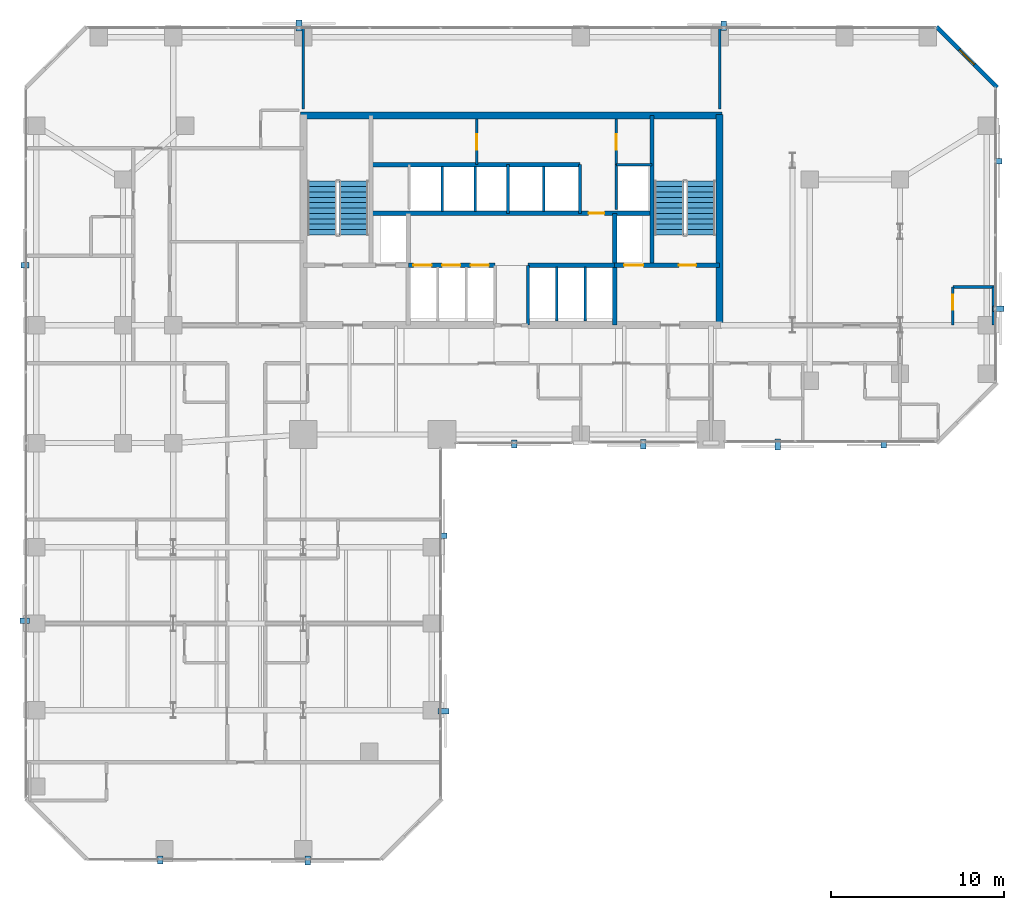
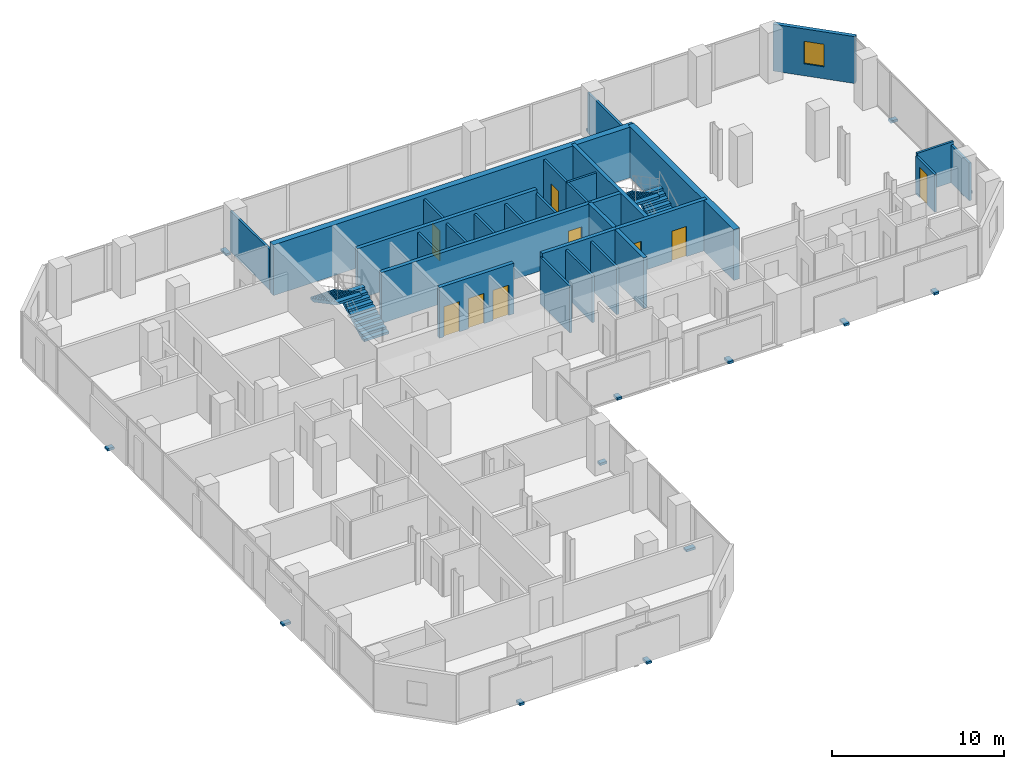
# One storey, part 29 of 31: 27 walls, 14 discrete accessories, 9 doors, 4 stair flights, 1 window, 10 openings, 2 elements without a shape of their own.
"""IFC4 building model written with IfcOpenShell, lengths in metres."""

from ifc_helpers import new_model, si_unit, direction, frame, frame_2d, origin, origin_2d, place, context, subcontext, project, spatial, polyline, rectangle, outline, extrude, material, layer, layer_set, type_object, element, fill, aggregate, save


model = new_model("IFC4")

# Units and contexts
model_context = context("Model", 3, precision=1e-05, world=origin(), true_north=direction((0.0, 1.0)))
body_context = subcontext(model_context, "Body", "Model", "MODEL_VIEW")
ifc_project = project(units=[si_unit("LENGTHUNIT", "METRE"), si_unit("AREAUNIT", "SQUARE_METRE"), si_unit("VOLUMEUNIT", "CUBIC_METRE"), si_unit("PLANEANGLEUNIT", "RADIAN"), si_unit("MASSUNIT", "GRAM", prefix="KILO")], contexts=[model_context])

# Site, building, storey
site_placement = place(None, origin())
site = spatial("IfcSite", under=ifc_project, at=site_placement, CompositionType="ELEMENT")
building_placement = place(site_placement, origin())
building = spatial("IfcBuilding", under=site, at=building_placement, Name="Catumbela Crestline Tower", CompositionType="ELEMENT")
storey_placement = place(building_placement, frame((0.0, 0.0, 25.8)))
storey = spatial("IfcBuildingStorey", under=building, at=storey_placement, Name="L05", CompositionType="ELEMENT", Elevation=25.8)

# Walls
ifc_material_1 = material(Name="Concrete C50/60", Category="concrete")
ifc_layer_1 = layer(ifc_material_1, 0.25, Name="Concrete C50/60")
ifc_layer_set_1 = layer_set([ifc_layer_1], Name="Concrete C50/60")
wall_type_1 = type_object("IfcWallType", Name="CW-250D", PredefinedType="SHEAR", material=ifc_layer_set_1)
wall_1_placement = place(storey_placement, frame((36.1, 34.25, 0.0), z_axis=(0.0, 0.0, 1.0), x_axis=(0.0, 1.0, 0.0)))
element("IfcWall", 1, at=wall_1_placement, inside=storey, type_object=wall_type_1, Name="L05 Structural Core Shear Wall EWEB", PredefinedType="SHEAR", context=body_context, shape_type="SweptSolid", body=[
    extrude(rectangle(XDim=8.65, YDim=0.25, at=frame_2d((4.325, 0.0))), origin(), (0.0, 0.0, 1.0), 3.6),
])
wall_2_placement = place(storey_placement, frame((33.95, 30.8, 0.0), z_axis=(0.0, 0.0, 1.0), x_axis=(0.0, 1.0, 0.0)))
element("IfcWall", 2, at=wall_2_placement, inside=storey, type_object=wall_type_1, Name="L05 Structural Core Shear Wall FFE", PredefinedType="SHEAR", context=body_context, shape_type="SweptSolid", body=[
    extrude(rectangle(XDim=6.45, YDim=0.25, at=frame_2d((3.225, 0.0))), origin(), (0.0, 0.0, 1.0), 3.6),
])

# Wall, openings, doors
wall_3_placement = place(storey_placement, frame((33.95, 34.25, 0.0), z_axis=(0.0, 0.0, 1.0), x_axis=(1.0, 0.0, 0.0)))
wall_3 = element("IfcWall", 3, at=wall_3_placement, inside=storey, type_object=wall_type_1, Name="L05 Structural Core Shear Wall ST2S", PredefinedType="SHEAR", context=body_context, shape_type="SweptSolid", body=[
    extrude(rectangle(XDim=6.05, YDim=0.25, at=frame_2d((3.025, 0.0))), origin(), (0.0, 0.0, 1.0), 3.6),
])
opening_1_placement = place(wall_3_placement, frame((3.7, 0.0, 0.0)))
opening_1 = element("IfcOpeningElement", 4, at=opening_1_placement, cuts=wall_3, Name="Opening DF9-100", PredefinedType="OPENING", context=body_context, shape_type="SweptSolid", body=[
    extrude(rectangle(XDim=1.0, YDim=2.15, at=frame_2d((0.5, 1.075))), frame((0.0, 0.135, 0.0), z_axis=(0.0, -1.0, 0.0), x_axis=(1.0, 0.0, 0.0)), (0.0, 0.0, 1.0), 0.27),
])
opening_2_placement = place(wall_3_placement, frame((0.55, 0.0, 0.0)))
opening_2 = element("IfcOpeningElement", 5, at=opening_2_placement, cuts=wall_3, Name="Opening LD-110", PredefinedType="OPENING", context=body_context, shape_type="SweptSolid", body=[
    extrude(rectangle(XDim=1.1, YDim=2.15, at=frame_2d((0.55, 1.075))), frame((0.0, 0.135, 0.0), z_axis=(0.0, -1.0, 0.0), x_axis=(1.0, 0.0, 0.0)), (0.0, 0.0, 1.0), 0.27),
])
ifc_material_2 = material(Name="Stainless steel EN 1.4401", Category="steel")
door_type_1 = type_object("IfcDoorType", Name="DF9-100", OperationType="NOTDEFINED", PredefinedType="DOOR", material=ifc_material_2)
door_1_placement = place(opening_1_placement, origin())
door_1 = element("IfcDoor", 6, at=door_1_placement, inside=storey, type_object=door_type_1, Name="L05 Interior Door DR-L05-ST02", OperationType="SINGLE_SWING_RIGHT", OverallHeight=2.15, OverallWidth=1.0, PredefinedType="DOOR", context=body_context, shape_type="SweptSolid", body=[
    extrude(rectangle(XDim=1.0, YDim=2.15, at=frame_2d((0.5, 1.075))), frame((0.0, 0.025, 0.0), z_axis=(0.0, -1.0, 0.0), x_axis=(1.0, 0.0, 0.0)), (0.0, 0.0, 1.0), 0.05),
])
fill(opening_1, door_1)
door_type_2 = type_object("IfcDoorType", Name="LD-110", OperationType="NOTDEFINED", PredefinedType="DOOR", material=ifc_material_2)
door_2_placement = place(opening_2_placement, origin())
door_2 = element("IfcDoor", 7, at=door_2_placement, inside=storey, type_object=door_type_2, Name="L05 Lift Landing Sliding Door FL-02", OperationType="DOUBLE_DOOR_SLIDING", OverallHeight=2.15, OverallWidth=1.1, PredefinedType="DOOR", context=body_context, shape_type="SweptSolid", body=[
    extrude(rectangle(XDim=1.1, YDim=2.15, at=frame_2d((0.55, 1.075))), frame((0.0, 0.025, 0.0), z_axis=(0.0, -1.0, 0.0), x_axis=(1.0, 0.0, 0.0)), (0.0, 0.0, 1.0), 0.05),
])
fill(opening_2, door_2)

wall_4_placement = place(storey_placement, frame((22.05, 34.25, 0.0), z_axis=(0.0, 0.0, 1.0), x_axis=(1.0, 0.0, 0.0)))
wall_4 = element("IfcWall", 8, at=wall_4_placement, inside=storey, type_object=wall_type_1, Name="L05 Structural Core Shear Wall LIFTS-W", PredefinedType="SHEAR", context=body_context, shape_type="SweptSolid", body=[
    extrude(rectangle(XDim=5.0, YDim=0.25, at=frame_2d((2.5, 0.0))), origin(), (0.0, 0.0, 1.0), 3.6),
])
opening_3_placement = place(wall_4_placement, frame((0.3, 0.0, 0.0)))
opening_3 = element("IfcOpeningElement", 9, at=opening_3_placement, cuts=wall_4, Name="Opening LD-105", PredefinedType="OPENING", context=body_context, shape_type="SweptSolid", body=[
    extrude(rectangle(XDim=1.05, YDim=2.15, at=frame_2d((0.525, 1.075))), frame((0.0, 0.135, 0.0), z_axis=(0.0, -1.0, 0.0), x_axis=(1.0, 0.0, 0.0)), (0.0, 0.0, 1.0), 0.27),
])
opening_4_placement = place(wall_4_placement, frame((1.95, 0.0, 0.0)))
opening_4 = element("IfcOpeningElement", 10, at=opening_4_placement, cuts=wall_4, Name="Opening LD-105", PredefinedType="OPENING", context=body_context, shape_type="SweptSolid", body=[
    extrude(rectangle(XDim=1.05, YDim=2.15, at=frame_2d((0.525, 1.075))), frame((0.0, 0.135, 0.0), z_axis=(0.0, -1.0, 0.0), x_axis=(1.0, 0.0, 0.0)), (0.0, 0.0, 1.0), 0.27),
])
opening_5_placement = place(wall_4_placement, frame((3.6, 0.0, 0.0)))
opening_5 = element("IfcOpeningElement", 11, at=opening_5_placement, cuts=wall_4, Name="Opening LD-105", PredefinedType="OPENING", context=body_context, shape_type="SweptSolid", body=[
    extrude(rectangle(XDim=1.05, YDim=2.15, at=frame_2d((0.525, 1.075))), frame((0.0, 0.135, 0.0), z_axis=(0.0, -1.0, 0.0), x_axis=(1.0, 0.0, 0.0)), (0.0, 0.0, 1.0), 0.27),
])
door_type_3 = type_object("IfcDoorType", Name="LD-105", OperationType="NOTDEFINED", PredefinedType="DOOR", material=ifc_material_2)
door_3_placement = place(opening_3_placement, origin())
door_3 = element("IfcDoor", 12, at=door_3_placement, inside=storey, type_object=door_type_3, Name="L05 Lift Landing Sliding Door PL-L1", OperationType="DOUBLE_DOOR_SLIDING", OverallHeight=2.15, OverallWidth=1.05, PredefinedType="DOOR", context=body_context, shape_type="SweptSolid", body=[
    extrude(rectangle(XDim=1.05, YDim=2.15, at=frame_2d((0.525, 1.075))), frame((0.0, 0.025, 0.0), z_axis=(0.0, -1.0, 0.0), x_axis=(1.0, 0.0, 0.0)), (0.0, 0.0, 1.0), 0.05),
])
fill(opening_3, door_3)
door_4_placement = place(opening_4_placement, origin())
door_4 = element("IfcDoor", 13, at=door_4_placement, inside=storey, type_object=door_type_3, Name="L05 Lift Landing Sliding Door PL-L2", OperationType="DOUBLE_DOOR_SLIDING", OverallHeight=2.15, OverallWidth=1.05, PredefinedType="DOOR", context=body_context, shape_type="SweptSolid", body=[
    extrude(rectangle(XDim=1.05, YDim=2.15, at=frame_2d((0.525, 1.075))), frame((0.0, 0.025, 0.0), z_axis=(0.0, -1.0, 0.0), x_axis=(1.0, 0.0, 0.0)), (0.0, 0.0, 1.0), 0.05),
])
fill(opening_4, door_4)
door_5_placement = place(opening_5_placement, origin())
door_5 = element("IfcDoor", 14, at=door_5_placement, inside=storey, type_object=door_type_3, Name="L05 Lift Landing Sliding Door PL-L3", OperationType="DOUBLE_DOOR_SLIDING", OverallHeight=2.15, OverallWidth=1.05, PredefinedType="DOOR", context=body_context, shape_type="SweptSolid", body=[
    extrude(rectangle(XDim=1.05, YDim=2.15, at=frame_2d((0.525, 1.075))), frame((0.0, 0.025, 0.0), z_axis=(0.0, -1.0, 0.0), x_axis=(1.0, 0.0, 0.0)), (0.0, 0.0, 1.0), 0.05),
])
fill(opening_5, door_5)

# Wall
wall_5_placement = place(storey_placement, frame((28.95, 34.25, 0.0), z_axis=(0.0, 0.0, 1.0), x_axis=(1.0, 0.0, 0.0)))
element("IfcWall", 15, at=wall_5_placement, inside=storey, type_object=wall_type_1, Name="L05 Structural Core Shear Wall LIFTS-E", PredefinedType="SHEAR", context=body_context, shape_type="SweptSolid", body=[
    extrude(rectangle(XDim=5.0, YDim=0.25, at=frame_2d((2.5, 0.0))), origin(), (0.0, 0.0, 1.0), 3.6),
])

# Wall, opening, door
wall_6_placement = place(storey_placement, frame((19.9, 37.25, 0.0), z_axis=(0.0, 0.0, 1.0), x_axis=(1.0, 0.0, 0.0)))
wall_6 = element("IfcWall", 16, at=wall_6_placement, inside=storey, type_object=wall_type_1, Name="L05 Structural Core Shear Wall LIFTN", PredefinedType="SHEAR", context=body_context, shape_type="SweptSolid", body=[
    extrude(rectangle(XDim=16.2, YDim=0.25, at=frame_2d((8.1, 0.0))), origin(), (0.0, 0.0, 1.0), 3.6),
])
opening_6_placement = place(wall_6_placement, frame((12.55, 0.0, 0.0)))
opening_6 = element("IfcOpeningElement", 17, at=opening_6_placement, cuts=wall_6, Name="Opening DF9-090", PredefinedType="OPENING", context=body_context, shape_type="SweptSolid", body=[
    extrude(rectangle(XDim=0.9, YDim=2.15, at=frame_2d((0.45, 1.075))), frame((0.0, 0.135, 0.0), z_axis=(0.0, -1.0, 0.0), x_axis=(1.0, 0.0, 0.0)), (0.0, 0.0, 1.0), 0.27),
])
door_type_4 = type_object("IfcDoorType", Name="DF9-090", OperationType="NOTDEFINED", PredefinedType="DOOR", material=ifc_material_2)
door_6_placement = place(opening_6_placement, origin())
door_6 = element("IfcDoor", 18, at=door_6_placement, inside=storey, type_object=door_type_4, Name="L05 Interior Door DR-L05-CPAS1", OperationType="SINGLE_SWING_LEFT", OverallHeight=2.15, OverallWidth=0.9, PredefinedType="DOOR", context=body_context, shape_type="SweptSolid", body=[
    extrude(rectangle(XDim=0.9, YDim=2.15, at=frame_2d((0.45, 1.075))), frame((0.0, 0.025, 0.0), z_axis=(0.0, -1.0, 0.0), x_axis=(1.0, 0.0, 0.0)), (0.0, 0.0, 1.0), 0.05),
])
fill(opening_6, door_6)

# Walls
wall_7_placement = place(storey_placement, frame((19.9, 40.05, 0.0), z_axis=(0.0, 0.0, 1.0), x_axis=(1.0, 0.0, 0.0)))
element("IfcWall", 19, at=wall_7_placement, inside=storey, type_object=wall_type_1, Name="L05 Structural Core Shear Wall COREN", PredefinedType="SHEAR", context=body_context, shape_type="SweptSolid", body=[
    extrude(rectangle(XDim=12.05, YDim=0.25, at=frame_2d((6.025, 0.0))), origin(), (0.0, 0.0, 1.0), 3.6),
])
ifc_material_3 = material(Name="Concrete C60/75", Category="concrete")
ifc_layer_2 = layer(ifc_material_3, 0.4, Name="Concrete C60/75")
ifc_layer_set_2 = layer_set([ifc_layer_2], Name="Concrete C60/75")
wall_type_2 = type_object("IfcWallType", Name="CW-400A", PredefinedType="SHEAR", material=ifc_layer_set_2)
wall_8_placement = place(storey_placement, frame((40.0, 30.65, 0.0), z_axis=(0.0, 0.0, 1.0), x_axis=(0.0, 1.0, 0.0)))
element("IfcWall", 20, at=wall_8_placement, inside=storey, type_object=wall_type_2, Name="L05 Structural Core Shear Wall E", PredefinedType="SHEAR", context=body_context, shape_type="SweptSolid", body=[
    extrude(rectangle(XDim=12.3, YDim=0.4, at=frame_2d((6.15, 0.0))), origin(), (0.0, 0.0, 1.0), 3.6),
])
wall_9_placement = place(storey_placement, frame((15.85, 42.9, 0.0), z_axis=(0.0, 0.0, 1.0), x_axis=(1.0, 0.0, 0.0)))
element("IfcWall", 21, at=wall_9_placement, inside=storey, type_object=wall_type_2, Name="L05 Structural Core Shear Wall N", PredefinedType="SHEAR", context=body_context, shape_type="SweptSolid", body=[
    extrude(rectangle(XDim=24.3, YDim=0.4, at=frame_2d((12.15, 0.0))), origin(), (0.0, 0.0, 1.0), 3.6),
])

# Wall, opening, window
ifc_material_4 = material(Name="Angolan grey-ochre granite", Category="masonry")
ifc_layer_3 = layer(ifc_material_4, 0.25, Name="Angolan grey-ochre granite")
ifc_layer_set_3 = layer_set([ifc_layer_3], Name="Angolan grey-ochre granite")
wall_type_3 = type_object("IfcWallType", Name="WE-250", PredefinedType="STANDARD", material=ifc_layer_set_3)
wall_10_placement = place(storey_placement, frame((56.0, 44.5, 0.0), z_axis=(0.0, 0.0, 1.0), x_axis=(-0.707106781187, 0.707106781187, 0.0)))
wall_10 = element("IfcWall", 22, at=wall_10_placement, inside=storey, type_object=wall_type_3, Name="L05 Granite Punched Window Wall 6-1", PredefinedType="STANDARD", context=body_context, shape_type="SweptSolid", body=[
    extrude(rectangle(XDim=4.9497, YDim=0.25, at=frame_2d((2.4748, 0.0))), origin(), (0.0, 0.0, 1.0), 3.33),
])
opening_7_placement = place(wall_10_placement, frame((1.8748, 0.0, 0.85)))
opening_7 = element("IfcOpeningElement", 23, at=opening_7_placement, cuts=wall_10, Name="Opening WN-02", PredefinedType="OPENING", context=body_context, shape_type="SweptSolid", body=[
    extrude(rectangle(XDim=1.2, YDim=1.6, at=frame_2d((0.6, 0.8))), frame((0.0, 0.135, 0.0), z_axis=(0.0, -1.0, 0.0), x_axis=(1.0, 0.0, 0.0)), (0.0, 0.0, 1.0), 0.27),
])
ifc_material_5 = material(Name="Low-E laminated solar-control double glazing", Category="glass")
window_type = type_object("IfcWindowType", Name="WO-1200", PartitioningType="SINGLE_PANEL", PredefinedType="WINDOW", material=ifc_material_5)
window_placement = place(opening_7_placement, origin())
window = element("IfcWindow", 24, at=window_placement, inside=storey, type_object=window_type, Name="L05 Facade Vision Window 50", OverallHeight=1.6, OverallWidth=1.2, PartitioningType="SINGLE_PANEL", PredefinedType="WINDOW", context=body_context, shape_type="SweptSolid", body=[
    extrude(rectangle(XDim=1.2, YDim=1.6, at=frame_2d((0.6, 0.8))), frame((0.0, 0.03, 0.0), z_axis=(0.0, -1.0, 0.0), x_axis=(1.0, 0.0, 0.0)), (0.0, 0.0, 1.0), 0.06),
])
fill(opening_7, window)

# Wall
ifc_material_6 = material(Name="Acoustic gypsum and mineral-wool partition")
ifc_layer_4 = layer(ifc_material_6, 0.15, Name="Acoustic gypsum and mineral-wool partition")
ifc_layer_set_4 = layer_set([ifc_layer_4], Name="Acoustic gypsum and mineral-wool partition")
wall_type_4 = type_object("IfcWallType", Name="WP-150", PredefinedType="PARTITIONING", material=ifc_layer_set_4)
wall_11_placement = place(storey_placement, frame((34.05, 40.05, 0.0), z_axis=(0.0, 0.0, 1.0), x_axis=(1.0, 0.0, 0.0)))
element("IfcWall", 25, at=wall_11_placement, inside=storey, type_object=wall_type_4, Name="L05 Interior Partition PW-L05-CR-ES", PredefinedType="PARTITIONING", context=body_context, shape_type="SweptSolid", body=[
    extrude(rectangle(XDim=2.05, YDim=0.15, at=frame_2d((1.025, 0.0))), origin(), (0.0, 0.0, 1.0), 3.33),
])

# Wall, opening, door
wall_12_placement = place(storey_placement, frame((34.05, 40.05, 0.0), z_axis=(0.0, 0.0, 1.0), x_axis=(0.0, 1.0, 0.0)))
wall_12 = element("IfcWall", 26, at=wall_12_placement, inside=storey, type_object=wall_type_4, Name="L05 Interior Partition PW-L05-CR-EW", PredefinedType="PARTITIONING", context=body_context, shape_type="SweptSolid", body=[
    extrude(rectangle(XDim=2.63, YDim=0.15, at=frame_2d((1.315, 0.0))), origin(), (0.0, 0.0, 1.0), 3.33),
])
opening_8_placement = place(wall_12_placement, frame((0.865, 0.0, 0.0)))
opening_8 = element("IfcOpeningElement", 27, at=opening_8_placement, cuts=wall_12, Name="Opening DF9-090", PredefinedType="OPENING", context=body_context, shape_type="SweptSolid", body=[
    extrude(rectangle(XDim=0.9, YDim=2.15, at=frame_2d((0.45, 1.075))), frame((0.0, 0.085, 0.0), z_axis=(0.0, -1.0, 0.0), x_axis=(1.0, 0.0, 0.0)), (0.0, 0.0, 1.0), 0.17),
])
door_7_placement = place(opening_8_placement, origin())
door_7 = element("IfcDoor", 28, at=door_7_placement, inside=storey, type_object=door_type_4, Name="L05 Interior Door DR-L05-CREAST", OperationType="SINGLE_SWING_RIGHT", OverallHeight=2.15, OverallWidth=0.9, PredefinedType="DOOR", context=body_context, shape_type="SweptSolid", body=[
    extrude(rectangle(XDim=0.9, YDim=2.15, at=frame_2d((0.45, 1.075))), frame((0.0, 0.025, 0.0), z_axis=(0.0, -1.0, 0.0), x_axis=(1.0, 0.0, 0.0)), (0.0, 0.0, 1.0), 0.05),
])
fill(opening_8, door_7)

wall_13_placement = place(storey_placement, frame((26.0, 40.05, 0.0), z_axis=(0.0, 0.0, 1.0), x_axis=(0.0, 1.0, 0.0)))
wall_13 = element("IfcWall", 29, at=wall_13_placement, inside=storey, type_object=wall_type_4, Name="L05 Interior Partition PW-L05-CR-WW", PredefinedType="PARTITIONING", context=body_context, shape_type="SweptSolid", body=[
    extrude(rectangle(XDim=2.63, YDim=0.15, at=frame_2d((1.315, 0.0))), origin(), (0.0, 0.0, 1.0), 3.33),
])
opening_9_placement = place(wall_13_placement, frame((0.865, 0.0, 0.0)))
opening_9 = element("IfcOpeningElement", 30, at=opening_9_placement, cuts=wall_13, Name="Opening DF9-090", PredefinedType="OPENING", context=body_context, shape_type="SweptSolid", body=[
    extrude(rectangle(XDim=0.9, YDim=2.15, at=frame_2d((0.45, 1.075))), frame((0.0, 0.085, 0.0), z_axis=(0.0, -1.0, 0.0), x_axis=(1.0, 0.0, 0.0)), (0.0, 0.0, 1.0), 0.17),
])
door_8_placement = place(opening_9_placement, origin())
door_8 = element("IfcDoor", 31, at=door_8_placement, inside=storey, type_object=door_type_4, Name="L05 Interior Door DR-L05-CRWEST", OperationType="SINGLE_SWING_LEFT", OverallHeight=2.15, OverallWidth=0.9, PredefinedType="DOOR", context=body_context, shape_type="SweptSolid", body=[
    extrude(rectangle(XDim=0.9, YDim=2.15, at=frame_2d((0.45, 1.075))), frame((0.0, 0.025, 0.0), z_axis=(0.0, -1.0, 0.0), x_axis=(1.0, 0.0, 0.0)), (0.0, 0.0, 1.0), 0.05),
])
fill(opening_9, door_8)

# Walls
for number, where, z_axis, x_axis, name in (
    (32, (16.0, 43.27, 0.0), (0.0, 0.0, 1.0), (0.0, 1.0, 0.0), "L05 Interior Partition PW-L05-NCF-W"),
    (33, (40.0, 43.27, 0.0), (0.0, 0.0, 1.0), (0.0, 1.0, 0.0), "L05 Interior Partition PW-L05-NCF-E"),
):
    element("IfcWall", number, at=place(storey_placement, frame(where, z_axis=z_axis, x_axis=x_axis)), inside=storey, type_object=wall_type_4, Name=name, PredefinedType="PARTITIONING", context=body_context, shape_type="SweptSolid", body=[
        extrude(rectangle(XDim=4.63, YDim=0.15, at=frame_2d((2.315, 0.0))), origin(), (0.0, 0.0, 1.0), 2.87),
    ])
wall_14_placement = place(storey_placement, frame((53.45, 33.0, 0.0), z_axis=(0.0, 0.0, 1.0), x_axis=(1.0, 0.0, 0.0)))
element("IfcWall", 34, at=wall_14_placement, inside=storey, type_object=wall_type_4, Name="L05 Interior Partition PW-L05-NES-BHW", PredefinedType="PARTITIONING", context=body_context, shape_type="SweptSolid", body=[
    extrude(rectangle(XDim=2.45, YDim=0.15, at=frame_2d((1.225, 0.0))), origin(), (0.0, 0.0, 1.0), 2.87),
])

# Wall, opening, door
wall_15_placement = place(storey_placement, frame((53.45, 30.8, 0.0), z_axis=(0.0, 0.0, 1.0), x_axis=(0.0, 1.0, 0.0)))
wall_15 = element("IfcWall", 35, at=wall_15_placement, inside=storey, type_object=wall_type_4, Name="L05 Interior Partition PW-L05-NES-BWW", PredefinedType="PARTITIONING", context=body_context, shape_type="SweptSolid", body=[
    extrude(rectangle(XDim=2.2, YDim=0.15, at=frame_2d((1.1, 0.0))), origin(), (0.0, 0.0, 1.0), 2.68),
])
opening_10_placement = place(wall_15_placement, frame((0.8925, 0.0, 0.0)))
opening_10 = element("IfcOpeningElement", 36, at=opening_10_placement, cuts=wall_15, Name="Opening DI-085", PredefinedType="OPENING", context=body_context, shape_type="SweptSolid", body=[
    extrude(rectangle(XDim=0.85, YDim=2.15, at=frame_2d((0.425, 1.075))), frame((0.0, 0.085, 0.0), z_axis=(0.0, -1.0, 0.0), x_axis=(1.0, 0.0, 0.0)), (0.0, 0.0, 1.0), 0.17),
])
ifc_material_7 = material(Name="Aluminium alloy AW-6060-T66", Category="aluminium")
door_type_5 = type_object("IfcDoorType", Name="DI-085", OperationType="NOTDEFINED", PredefinedType="DOOR", material=ifc_material_7)
door_9_placement = place(opening_10_placement, origin())
door_9 = element("IfcDoor", 37, at=door_9_placement, inside=storey, type_object=door_type_5, Name="L05 Interior Door DR-L05-NES-BTH", OperationType="SINGLE_SWING_RIGHT", OverallHeight=2.15, OverallWidth=0.85, PredefinedType="DOOR", context=body_context, shape_type="SweptSolid", body=[
    extrude(rectangle(XDim=0.85, YDim=2.15, at=frame_2d((0.425, 1.075))), frame((0.0, 0.025, 0.0), z_axis=(0.0, -1.0, 0.0), x_axis=(1.0, 0.0, 0.0)), (0.0, 0.0, 1.0), 0.05),
])
fill(opening_10, door_9)

# Walls
wall_16_placement = place(storey_placement, frame((55.78, 33.0, 0.0), z_axis=(0.0, 0.0, 1.0), x_axis=(0.0, -1.0, 0.0)))
element("IfcWall", 38, at=wall_16_placement, inside=storey, type_object=wall_type_4, Name="L05 Interior Partition PW-L05-NES-BCL-2", PredefinedType="PARTITIONING", context=body_context, shape_type="SweptSolid", body=[
    extrude(rectangle(XDim=2.2, YDim=0.15, at=frame_2d((1.1, 0.0))), origin(), (0.0, 0.0, 1.0), 2.68),
])
ifc_layer_5 = layer(ifc_material_6, 0.15, Name="Acoustic gypsum and mineral-wool partition")
ifc_layer_set_5 = layer_set([ifc_layer_5], Name="Acoustic gypsum and mineral-wool partition")
wall_type_5 = type_object("IfcWallType", Name="WS-150", PredefinedType="PLUMBINGWALL", material=ifc_layer_set_5)
wall_17_placement = place(storey_placement, frame((28.95, 30.8, 0.0), z_axis=(0.0, 0.0, 1.0), x_axis=(0.0, 1.0, 0.0)))
element("IfcWall", 39, at=wall_17_placement, inside=storey, type_object=wall_type_5, Name="L05 Interior Partition PW-L05-THRE", PredefinedType="PLUMBINGWALL", context=body_context, shape_type="SweptSolid", body=[
    extrude(rectangle(XDim=3.45, YDim=0.15, at=frame_2d((1.725, 0.0))), origin(), (0.0, 0.0, 1.0), 3.33),
])
for number, where, z_axis, x_axis, name in (
    (40, (30.6, 31.05, 0.0), (0.0, 0.0, 1.0), (0.0, 1.0, 0.0), "L05 Interior Partition PW-L05-SHM1"),
    (41, (32.25, 31.05, 0.0), (0.0, 0.0, 1.0), (0.0, 1.0, 0.0), "L05 Interior Partition PW-L05-SHM2"),
):
    element("IfcWall", number, at=place(storey_placement, frame(where, z_axis=z_axis, x_axis=x_axis)), inside=storey, type_object=wall_type_5, Name=name, PredefinedType="PLUMBINGWALL", context=body_context, shape_type="SweptSolid", body=[
        extrude(rectangle(XDim=3.1, YDim=0.15, at=frame_2d((1.55, 0.0))), origin(), (0.0, 0.0, 1.0), 3.33),
    ])
wall_18_placement = place(storey_placement, frame((27.8, 37.25, 0.0), z_axis=(0.0, 0.0, 1.0), x_axis=(0.0, 1.0, 0.0)))
element("IfcWall", 42, at=wall_18_placement, inside=storey, type_object=wall_type_5, Name="L05 Interior Partition PW-L05-SHH3", PredefinedType="PLUMBINGWALL", context=body_context, shape_type="SweptSolid", body=[
    extrude(rectangle(XDim=2.8, YDim=0.15, at=frame_2d((1.4, 0.0))), origin(), (0.0, 0.0, 1.0), 3.33),
])
for number, where, z_axis, x_axis, name in (
    (43, (24.0, 37.35, 0.0), (0.0, 0.0, 1.0), (0.0, 1.0, 0.0), "L05 Interior Partition PW-L05-SHH1"),
    (44, (25.9, 37.35, 0.0), (0.0, 0.0, 1.0), (0.0, 1.0, 0.0), "L05 Interior Partition PW-L05-SHH2"),
):
    element("IfcWall", number, at=place(storey_placement, frame(where, z_axis=z_axis, x_axis=x_axis)), inside=storey, type_object=wall_type_5, Name=name, PredefinedType="PLUMBINGWALL", context=body_context, shape_type="SweptSolid", body=[
        extrude(rectangle(XDim=2.6, YDim=0.15, at=frame_2d((1.3, 0.0))), origin(), (0.0, 0.0, 1.0), 3.33),
    ])
wall_19_placement = place(storey_placement, frame((31.95, 37.25, 0.0), z_axis=(0.0, 0.0, 1.0), x_axis=(0.0, 1.0, 0.0)))
element("IfcWall", 45, at=wall_19_placement, inside=storey, type_object=wall_type_5, Name="L05 Interior Partition PW-L05-SHEX2E", PredefinedType="PLUMBINGWALL", context=body_context, shape_type="SweptSolid", body=[
    extrude(rectangle(XDim=2.8, YDim=0.15, at=frame_2d((1.4, 0.0))), origin(), (0.0, 0.0, 1.0), 3.33),
])
wall_20_placement = place(storey_placement, frame((29.85, 37.35, 0.0), z_axis=(0.0, 0.0, 1.0), x_axis=(0.0, 1.0, 0.0)))
element("IfcWall", 46, at=wall_20_placement, inside=storey, type_object=wall_type_5, Name="L05 Interior Partition PW-L05-SHEX1", PredefinedType="PLUMBINGWALL", context=body_context, shape_type="SweptSolid", body=[
    extrude(rectangle(XDim=2.6, YDim=0.15, at=frame_2d((1.3, 0.0))), origin(), (0.0, 0.0, 1.0), 3.33),
])
wall_21_placement = place(storey_placement, frame((34.05, 37.4734, 0.0), z_axis=(0.0, 0.0, 1.0), x_axis=(0.0, 1.0, 0.0)))
element("IfcWall", 47, at=wall_21_placement, inside=storey, type_object=wall_type_5, Name="L05 Interior Partition PW-L05-RISW", PredefinedType="PLUMBINGWALL", context=body_context, shape_type="SweptSolid", body=[
    extrude(rectangle(XDim=2.5766, YDim=0.15, at=frame_2d((1.2883, 0.0))), origin(), (0.0, 0.0, 1.0), 3.33),
])

# Stair, stair flights
ifc_material_8 = material(Name="Concrete C45/55", Category="concrete")
stair_type = type_object("IfcStairType", Name="ST-DLG", PredefinedType="HALF_TURN_STAIR", material=ifc_material_8)
stair_1_placement = place(storey_placement, origin())
stair_1 = element("IfcStair", 48, at=stair_1_placement, inside=storey, type_object=stair_type, Name="L05 West Core Pressurised Exit Stair ST-01", PredefinedType="HALF_TURN_STAIR")
stair_flight_type = type_object("IfcStairFlightType", Name="SF-1636", PredefinedType="STRAIGHT", material=ifc_material_8)
stair_flight_1_placement = place(storey_placement, frame((18.92, 36.0, 0.0), z_axis=(0.0, 0.0, 1.0), x_axis=(0.0, 1.0, 0.0)))
stair_flight_1 = element("IfcStairFlight", 49, at=stair_flight_1_placement, type_object=stair_flight_type, Name="ST-01 flight 1", NumberOfRisers=11, NumberOfTreads=10, PredefinedType="STRAIGHT", RiserHeight=0.163636364, TreadLength=0.31, context=body_context, shape_type="SweptSolid", body=[
    extrude(outline(polyline([(0.0, 0.0), (0.0, 0.1636), (0.31, 0.1636), (0.31, 0.3273), (0.62, 0.3273), (0.62, 0.4909), (0.93, 0.4909), (0.93, 0.6545), (1.24, 0.6545), (1.24, 0.8182), (1.55, 0.8182), (1.55, 0.9818), (1.86, 0.9818), (1.86, 1.1455), (2.17, 1.1455), (2.17, 1.3091), (2.48, 1.3091), (2.48, 1.4727), (2.79, 1.4727), (2.79, 1.6364), (3.1, 1.6364), (3.1, 1.8), (3.1, 1.4554), (0.3427, 0.0), (0.0, 0.0)])), frame((0.0, 0.83, 0.0), z_axis=(0.0, -1.0, 0.0), x_axis=(1.0, 0.0, 0.0)), (0.0, 0.0, 1.0), 1.66),
])
stair_flight_2_placement = place(storey_placement, frame((17.08, 39.1, 1.8), z_axis=(0.0, 0.0, 1.0), x_axis=(0.0, -1.0, 0.0)))
stair_flight_2 = element("IfcStairFlight", 50, at=stair_flight_2_placement, type_object=stair_flight_type, Name="ST-01 flight 2", NumberOfRisers=11, NumberOfTreads=10, PredefinedType="STRAIGHT", RiserHeight=0.163636364, TreadLength=0.31, context=body_context, shape_type="SweptSolid", body=[
    extrude(outline(polyline([(0.0, 0.0), (0.0, 0.1636), (0.31, 0.1636), (0.31, 0.3273), (0.62, 0.3273), (0.62, 0.4909), (0.93, 0.4909), (0.93, 0.6545), (1.24, 0.6545), (1.24, 0.8182), (1.55, 0.8182), (1.55, 0.9818), (1.86, 0.9818), (1.86, 1.1455), (2.17, 1.1455), (2.17, 1.3091), (2.48, 1.3091), (2.48, 1.4727), (2.79, 1.4727), (2.79, 1.6364), (3.1, 1.6364), (3.1, 1.8), (3.1, 1.4554), (0.3427, 0.0), (0.0, 0.0)])), frame((0.0, 0.83, 0.0), z_axis=(0.0, -1.0, 0.0), x_axis=(1.0, 0.0, 0.0)), (0.0, 0.0, 1.0), 1.66),
])
aggregate(stair_1, [stair_flight_1, stair_flight_2])

stair_2_placement = place(storey_placement, origin())
stair_2 = element("IfcStair", 51, at=stair_2_placement, inside=storey, type_object=stair_type, Name="L05 East Core Pressurised Exit Stair ST-02", PredefinedType="HALF_TURN_STAIR")
stair_flight_3_placement = place(storey_placement, frame((38.92, 36.0, 0.0), z_axis=(0.0, 0.0, 1.0), x_axis=(0.0, 1.0, 0.0)))
stair_flight_3 = element("IfcStairFlight", 52, at=stair_flight_3_placement, type_object=stair_flight_type, Name="ST-02 flight 1", NumberOfRisers=11, NumberOfTreads=10, PredefinedType="STRAIGHT", RiserHeight=0.163636364, TreadLength=0.31, context=body_context, shape_type="SweptSolid", body=[
    extrude(outline(polyline([(0.0, 0.0), (0.0, 0.1636), (0.31, 0.1636), (0.31, 0.3273), (0.62, 0.3273), (0.62, 0.4909), (0.93, 0.4909), (0.93, 0.6545), (1.24, 0.6545), (1.24, 0.8182), (1.55, 0.8182), (1.55, 0.9818), (1.86, 0.9818), (1.86, 1.1455), (2.17, 1.1455), (2.17, 1.3091), (2.48, 1.3091), (2.48, 1.4727), (2.79, 1.4727), (2.79, 1.6364), (3.1, 1.6364), (3.1, 1.8), (3.1, 1.4554), (0.3427, 0.0), (0.0, 0.0)])), frame((0.0, 0.83, 0.0), z_axis=(0.0, -1.0, 0.0), x_axis=(1.0, 0.0, 0.0)), (0.0, 0.0, 1.0), 1.66),
])
stair_flight_4_placement = place(storey_placement, frame((37.08, 39.1, 1.8), z_axis=(0.0, 0.0, 1.0), x_axis=(0.0, -1.0, 0.0)))
stair_flight_4 = element("IfcStairFlight", 53, at=stair_flight_4_placement, type_object=stair_flight_type, Name="ST-02 flight 2", NumberOfRisers=11, NumberOfTreads=10, PredefinedType="STRAIGHT", RiserHeight=0.163636364, TreadLength=0.31, context=body_context, shape_type="SweptSolid", body=[
    extrude(outline(polyline([(0.0, 0.0), (0.0, 0.1636), (0.31, 0.1636), (0.31, 0.3273), (0.62, 0.3273), (0.62, 0.4909), (0.93, 0.4909), (0.93, 0.6545), (1.24, 0.6545), (1.24, 0.8182), (1.55, 0.8182), (1.55, 0.9818), (1.86, 0.9818), (1.86, 1.1455), (2.17, 1.1455), (2.17, 1.3091), (2.48, 1.3091), (2.48, 1.4727), (2.79, 1.4727), (2.79, 1.6364), (3.1, 1.6364), (3.1, 1.8), (3.1, 1.4554), (0.3427, 0.0), (0.0, 0.0)])), frame((0.0, 0.83, 0.0), z_axis=(0.0, -1.0, 0.0), x_axis=(1.0, 0.0, 0.0)), (0.0, 0.0, 1.0), 1.66),
])
aggregate(stair_2, [stair_flight_3, stair_flight_4])

# Discrete accessories
discrete_accessory_type = type_object("IfcDiscreteAccessoryType", Name="BK-SS1", PredefinedType="BRACKET", material=ifc_material_2)
discrete_accessory_1_placement = place(storey_placement, frame((7.75, -0.045, -0.18), z_axis=(0.0, 0.0, 1.0), x_axis=(1.0, 0.0, 0.0)))
element("IfcDiscreteAccessory", 54, at=discrete_accessory_1_placement, inside=storey, type_object=discrete_accessory_type, Name="L05 Solar Screen Stainless Bracket 1", PredefinedType="BRACKET", context=body_context, shape_type="SweptSolid", body=[
    extrude(rectangle(XDim=0.32, YDim=0.46, at=origin_2d()), origin(), (0.0, 0.0, 1.0), 0.16),
])
discrete_accessory_2_placement = place(storey_placement, frame((16.25, -0.065, -0.18), z_axis=(0.0, 0.0, 1.0), x_axis=(1.0, 0.0, 0.0)))
element("IfcDiscreteAccessory", 55, at=discrete_accessory_2_placement, inside=storey, type_object=discrete_accessory_type, Name="L05 Solar Screen Stainless Bracket 2", PredefinedType="BRACKET", context=body_context, shape_type="SweptSolid", body=[
    extrude(rectangle(XDim=0.32, YDim=0.54, at=origin_2d()), origin(), (0.0, 0.0, 1.0), 0.16),
])
discrete_accessory_3_placement = place(storey_placement, frame((24.085, 8.55, -0.18), z_axis=(0.0, 0.0, 1.0), x_axis=(0.0, 1.0, 0.0)))
element("IfcDiscreteAccessory", 56, at=discrete_accessory_3_placement, inside=storey, type_object=discrete_accessory_type, Name="L05 Solar Screen Stainless Bracket 3", PredefinedType="BRACKET", context=body_context, shape_type="SweptSolid", body=[
    extrude(rectangle(XDim=0.32, YDim=0.62, at=origin_2d()), origin(), (0.0, 0.0, 1.0), 0.16),
])
for number, where, z_axis, x_axis, name in (
    (57, (24.045, 18.65, -0.18), (0.0, 0.0, 1.0), (0.0, 1.0, 0.0), "L05 Solar Screen Stainless Bracket 4"),
    (58, (28.15, 23.955, -0.18), (0.0, 0.0, 1.0), (1.0, 0.0, 0.0), "L05 Solar Screen Stainless Bracket 5"),
):
    element("IfcDiscreteAccessory", number, at=place(storey_placement, frame(where, z_axis=z_axis, x_axis=x_axis)), inside=storey, type_object=discrete_accessory_type, Name=name, PredefinedType="BRACKET", context=body_context, shape_type="SweptSolid", body=[
        extrude(rectangle(XDim=0.32, YDim=0.46, at=origin_2d()), origin(), (0.0, 0.0, 1.0), 0.16),
    ])
discrete_accessory_4_placement = place(storey_placement, frame((35.6, 23.935, -0.18), z_axis=(0.0, 0.0, 1.0), x_axis=(1.0, 0.0, 0.0)))
element("IfcDiscreteAccessory", 59, at=discrete_accessory_4_placement, inside=storey, type_object=discrete_accessory_type, Name="L05 Solar Screen Stainless Bracket 6", PredefinedType="BRACKET", context=body_context, shape_type="SweptSolid", body=[
    extrude(rectangle(XDim=0.32, YDim=0.54, at=origin_2d()), origin(), (0.0, 0.0, 1.0), 0.16),
])
discrete_accessory_5_placement = place(storey_placement, frame((43.35, 23.915, -0.18), z_axis=(0.0, 0.0, 1.0), x_axis=(1.0, 0.0, 0.0)))
element("IfcDiscreteAccessory", 60, at=discrete_accessory_5_placement, inside=storey, type_object=discrete_accessory_type, Name="L05 Solar Screen Stainless Bracket 7", PredefinedType="BRACKET", context=body_context, shape_type="SweptSolid", body=[
    extrude(rectangle(XDim=0.32, YDim=0.62, at=origin_2d()), origin(), (0.0, 0.0, 1.0), 0.16),
])
discrete_accessory_6_placement = place(storey_placement, frame((49.45, 23.955, -0.18), z_axis=(0.0, 0.0, 1.0), x_axis=(1.0, 0.0, 0.0)))
element("IfcDiscreteAccessory", 61, at=discrete_accessory_6_placement, inside=storey, type_object=discrete_accessory_type, Name="L05 Solar Screen Stainless Bracket 8", PredefinedType="BRACKET", context=body_context, shape_type="SweptSolid", body=[
    extrude(rectangle(XDim=0.32, YDim=0.46, at=origin_2d()), origin(), (0.0, 0.0, 1.0), 0.16),
])
discrete_accessory_7_placement = place(storey_placement, frame((56.085, 31.75, -0.18), z_axis=(0.0, 0.0, 1.0), x_axis=(0.0, 1.0, 0.0)))
element("IfcDiscreteAccessory", 62, at=discrete_accessory_7_placement, inside=storey, type_object=discrete_accessory_type, Name="L05 Solar Screen Stainless Bracket 9", PredefinedType="BRACKET", context=body_context, shape_type="SweptSolid", body=[
    extrude(rectangle(XDim=0.32, YDim=0.62, at=origin_2d()), origin(), (0.0, 0.0, 1.0), 0.16),
])
discrete_accessory_8_placement = place(storey_placement, frame((56.045, 40.25, -0.18), z_axis=(0.0, 0.0, 1.0), x_axis=(0.0, 1.0, 0.0)))
element("IfcDiscreteAccessory", 63, at=discrete_accessory_8_placement, inside=storey, type_object=discrete_accessory_type, Name="L05 Solar Screen Stainless Bracket 10", PredefinedType="BRACKET", context=body_context, shape_type="SweptSolid", body=[
    extrude(rectangle(XDim=0.32, YDim=0.46, at=origin_2d()), origin(), (0.0, 0.0, 1.0), 0.16),
])
discrete_accessory_9_placement = place(storey_placement, frame((40.25, 48.065, -0.18), z_axis=(0.0, 0.0, 1.0), x_axis=(-1.0, 0.0, 0.0)))
element("IfcDiscreteAccessory", 64, at=discrete_accessory_9_placement, inside=storey, type_object=discrete_accessory_type, Name="L05 Solar Screen Stainless Bracket 11", PredefinedType="BRACKET", context=body_context, shape_type="SweptSolid", body=[
    extrude(rectangle(XDim=0.32, YDim=0.54, at=origin_2d()), origin(), (0.0, 0.0, 1.0), 0.16),
])
discrete_accessory_10_placement = place(storey_placement, frame((15.75, 48.085, -0.18), z_axis=(0.0, 0.0, 1.0), x_axis=(-1.0, 0.0, 0.0)))
element("IfcDiscreteAccessory", 65, at=discrete_accessory_10_placement, inside=storey, type_object=discrete_accessory_type, Name="L05 Solar Screen Stainless Bracket 12", PredefinedType="BRACKET", context=body_context, shape_type="SweptSolid", body=[
    extrude(rectangle(XDim=0.32, YDim=0.62, at=origin_2d()), origin(), (0.0, 0.0, 1.0), 0.16),
])
discrete_accessory_11_placement = place(storey_placement, frame((-0.045, 34.25, -0.18), z_axis=(0.0, 0.0, 1.0), x_axis=(0.0, -1.0, 0.0)))
element("IfcDiscreteAccessory", 66, at=discrete_accessory_11_placement, inside=storey, type_object=discrete_accessory_type, Name="L05 Solar Screen Stainless Bracket 13", PredefinedType="BRACKET", context=body_context, shape_type="SweptSolid", body=[
    extrude(rectangle(XDim=0.32, YDim=0.46, at=origin_2d()), origin(), (0.0, 0.0, 1.0), 0.16),
])
discrete_accessory_12_placement = place(storey_placement, frame((-0.065, 13.75, -0.18), z_axis=(0.0, 0.0, 1.0), x_axis=(0.0, -1.0, 0.0)))
element("IfcDiscreteAccessory", 67, at=discrete_accessory_12_placement, inside=storey, type_object=discrete_accessory_type, Name="L05 Solar Screen Stainless Bracket 14", PredefinedType="BRACKET", context=body_context, shape_type="SweptSolid", body=[
    extrude(rectangle(XDim=0.32, YDim=0.54, at=origin_2d()), origin(), (0.0, 0.0, 1.0), 0.16),
])

save(model, "model.ifc")
